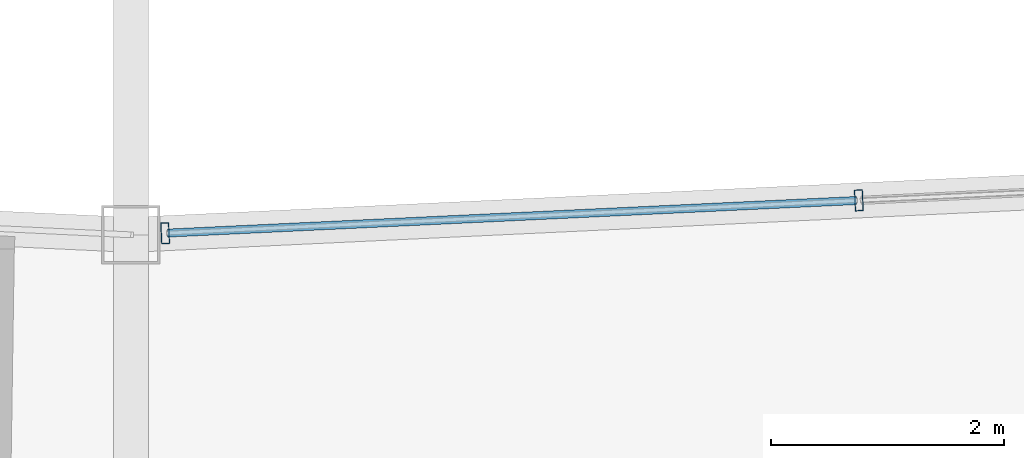
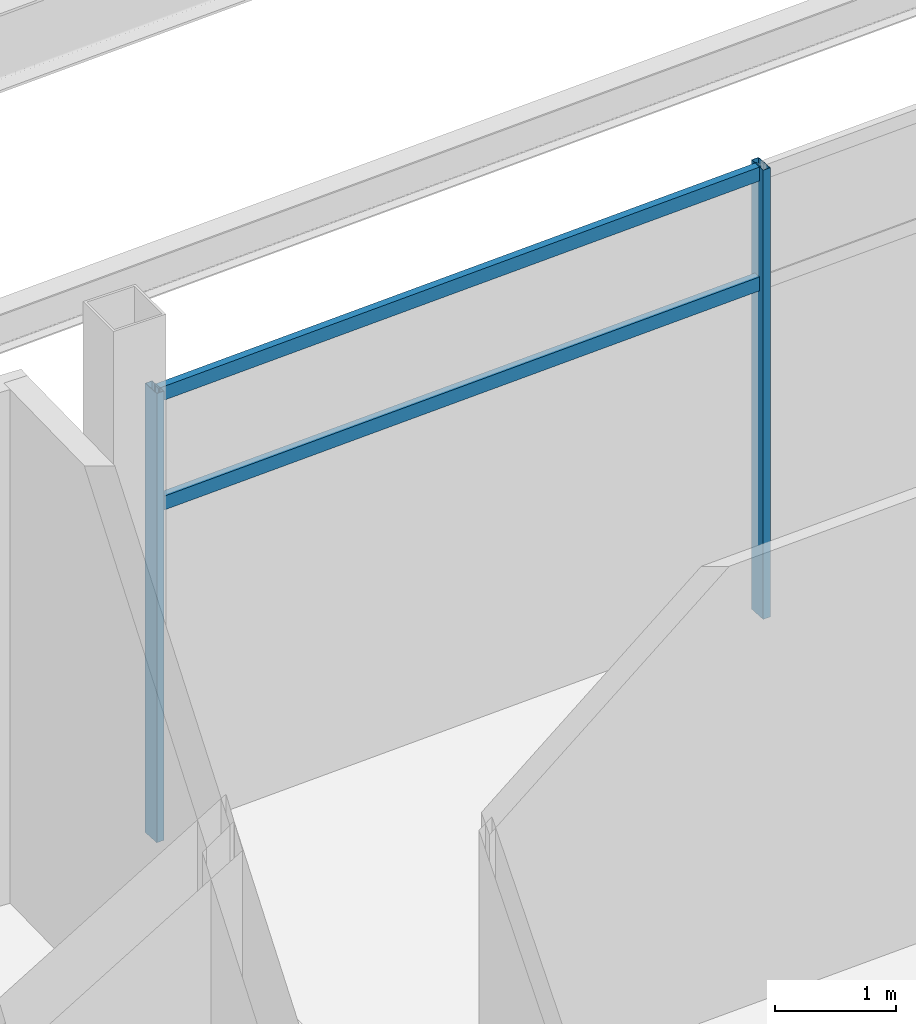
# One storey, part 37 of 186: 4 members, 1 element without a shape of its own.
"""IFC4 building model written with IfcOpenShell, lengths in metres."""

import ifcopenshell
import ifcopenshell.guid

model = None  # the IFC model being written
_history = None  # IfcOwnerHistory: only IFC2X3 demands one
_inside = {}  # id of a spatial element -> (the spatial element, [elements in it])
_under = {}  # id of a project, library or spatial element -> (it, [spatial elements below it])
_declared = {}  # id of a project -> (the project, [libraries it declares])
_typed = {}  # id of a type object -> (the type object, [elements of that type])
_made_of = {}  # id of a material, layer set ... -> (it, [elements and type objects made of it])


def new_model(schema):
    """Start an empty IFC model of exactly this schema.

    Asked for "IFC4X3", IfcOpenShell would pick the latest addendum, in which some entities
    have other attributes; the version numbers below select the first issue.
    IFC2X3 requires an IfcOwnerHistory on every rooted entity: one is made here for all.
    """
    global model, _history
    if schema == "IFC4X3":
        model = ifcopenshell.file(schema_version=(4, 3, 0, 0))
    else:
        model = ifcopenshell.file(schema=schema)
    _inside.clear()
    _under.clear()
    _declared.clear()
    _typed.clear()
    _made_of.clear()
    _history = None
    if model.schema == "IFC2X3":
        org = make("IfcOrganization", Name="unknown")
        user = make(
            "IfcPersonAndOrganization",
            ThePerson=make("IfcPerson", FamilyName="unknown"),
            TheOrganization=org,
        )
        app = make(
            "IfcApplication",
            ApplicationDeveloper=org,
            Version="unknown",
            ApplicationFullName="unknown",
            ApplicationIdentifier="unknown",
        )
        _history = make(
            "IfcOwnerHistory",
            OwningUser=user,
            OwningApplication=app,
            ChangeAction="ADDED",
            CreationDate=0,
        )
    return model


def make(cls, **values):
    """One entity of the class cls with the attributes given. An attribute that is None is left unset."""
    return model.create_entity(
        cls, **{name: value for name, value in values.items() if value is not None}
    )


def rooted(cls, **values):
    """An entity with a GlobalId (a new one), such as an element, a storey or a relation."""
    return make(cls, GlobalId=ifcopenshell.guid.new(), OwnerHistory=_history, **values)


def si_unit(unit_type, name, prefix=None):
    """IfcSIUnit, for example si_unit("LENGTHUNIT", "METRE", prefix="MILLI")."""
    return make("IfcSIUnit", UnitType=unit_type, Prefix=prefix, Name=name)


def assignment(units):
    """IfcUnitAssignment: the units of a project."""
    return None if units is None else make("IfcUnitAssignment", Units=units)


def point(xyz):
    """IfcCartesianPoint."""
    return None if xyz is None else make("IfcCartesianPoint", Coordinates=xyz)


def direction(xyz):
    """IfcDirection."""
    return None if xyz is None else make("IfcDirection", DirectionRatios=xyz)


def frame(location, z_axis=None, x_axis=None):
    """IfcAxis2Placement3D, a coordinate frame: its origin and axes. An axis left out is left unset."""
    return make(
        "IfcAxis2Placement3D",
        Location=point(location),
        Axis=direction(z_axis),
        RefDirection=direction(x_axis),
    )


def frame_2d(location, x_axis=None):
    """IfcAxis2Placement2D, a coordinate frame in the plane: its origin and x axis."""
    return make(
        "IfcAxis2Placement2D", Location=point(location), RefDirection=direction(x_axis)
    )


def origin():
    """The frame at (0, 0, 0) with its axes left unset."""
    return frame((0.0, 0.0, 0.0))


def origin_2d():
    """The frame at (0, 0) in the plane with its x axis left unset."""
    return frame_2d((0.0, 0.0))


def place(relative_to, where):
    """IfcLocalPlacement: puts the frame where relative to a parent placement (None: the world)."""
    return make(
        "IfcLocalPlacement", PlacementRelTo=relative_to, RelativePlacement=where
    )


def context(
    kind, dimensions, precision=None, world=None, true_north=None, identifier=None
):
    """IfcGeometricRepresentationContext, for example the 3D "Model" context."""
    return make(
        "IfcGeometricRepresentationContext",
        ContextIdentifier=identifier,
        ContextType=kind,
        CoordinateSpaceDimension=dimensions,
        Precision=precision,
        WorldCoordinateSystem=world,
        TrueNorth=true_north,
    )


def subcontext(parent, identifier, kind, view, scale=None):
    """IfcGeometricRepresentationSubContext, for example "Body" below "Model"."""
    return make(
        "IfcGeometricRepresentationSubContext",
        ContextIdentifier=identifier,
        ContextType=kind,
        ParentContext=parent,
        TargetScale=scale,
        TargetView=view,
    )


def project(units=None, contexts=None):
    """IfcProject with its units and contexts."""
    return rooted(
        "IfcProject",
        Name="project",
        RepresentationContexts=contexts,
        UnitsInContext=assignment(units),
    )


def spatial(cls, under=None, at=None, **own):
    """A site, building, storey or space (cls), placed at a placement, below another one or the project."""
    s = rooted(cls, ObjectPlacement=at, **own)
    if under is not None:
        _under.setdefault(under.id(), (under, []))[1].append(s)
    return s


def profile(cls, at=None, kind="AREA", **sizes):
    """A parametric profile (cls). Its sizes go by their IFC names, for example OverallWidth=200.0."""
    return make(cls, ProfileType=kind, Position=at, **sizes)


def hollow_rectangle(**sizes):
    """IfcRectangleHollowProfileDef."""
    return profile("IfcRectangleHollowProfileDef", **sizes)


def extrude(swept, where, along, depth):
    """IfcExtrudedAreaSolid: the profile swept, set in the frame where, extruded along a direction by depth."""
    return make(
        "IfcExtrudedAreaSolid",
        SweptArea=swept,
        Position=where,
        ExtrudedDirection=direction(along),
        Depth=depth,
    )


def shape(context_of_items, identifier, shape_type, items):
    """IfcShapeRepresentation: the items that make up one representation, for example the "Body"."""
    return make(
        "IfcShapeRepresentation",
        ContextOfItems=context_of_items,
        RepresentationIdentifier=identifier,
        RepresentationType=shape_type,
        Items=items,
    )


def material(Name=None, Category=None):
    """IfcMaterial."""
    return make("IfcMaterial", Name=Name, Category=Category)


def layer(
    of_material, thickness, ventilated=None, Name=None, Category=None, Priority=None
):
    """IfcMaterialLayer: one layer of a wall or slab, of a material (None: an air gap)."""
    return make(
        "IfcMaterialLayer",
        Material=of_material,
        LayerThickness=thickness,
        IsVentilated=ventilated,
        Name=Name,
        Category=Category,
        Priority=Priority,
    )


def layer_set(layers, Name=None):
    """IfcMaterialLayerSet."""
    return make("IfcMaterialLayerSet", MaterialLayers=layers, LayerSetName=Name)


def material_profile(
    of_material, cross_section, Name=None, Category=None, Priority=None
):
    """IfcMaterialProfile: a cross section and its material."""
    return make(
        "IfcMaterialProfile",
        Name=Name,
        Material=of_material,
        Profile=cross_section,
        Priority=Priority,
        Category=Category,
    )


def profile_set(profiles, Name=None, composite=None):
    """IfcMaterialProfileSet."""
    return make(
        "IfcMaterialProfileSet",
        Name=Name,
        MaterialProfiles=profiles,
        CompositeProfile=composite,
    )


def made_of(thing, what):
    """Note that an element or type object is made of a material, layer set ...; save() writes the relation."""
    if what is not None:
        _made_of.setdefault(what.id(), (what, []))[1].append(thing)
    return thing


def type_object(cls, material=None, **own):
    """A type object (cls), such as IfcWallType, which elements share."""
    return made_of(rooted(cls, **own), material)


def element(
    cls,
    number,
    at=None,
    inside=None,
    cuts=None,
    type_object=None,
    material=None,
    context=None,
    identifier="Body",
    shape_type=None,
    held_by="IfcProductDefinitionShape",
    body=None,
    shapes=None,
    **own,
):
    """One element of the class cls, such as IfcWall. Its Tag is "e" and its number.

    at: its placement. inside: the storey or other place that contains it. cuts: it is an
    opening in that element (IfcRelVoidsElement). A single representation is given by context,
    identifier, shape_type and body (its items); several are given by shapes. held_by: the class
    of the entity that holds the representations. save() writes the other relations.
    """
    e = rooted(cls, Tag="e%d" % number, ObjectPlacement=at, **own)
    if body is not None:
        shapes = [shape(context, identifier, shape_type, body)]
    if shapes is not None:
        e.Representation = make(held_by, Representations=shapes)
    if inside is not None:
        _inside.setdefault(inside.id(), (inside, []))[1].append(e)
    if cuts is not None:
        rooted(
            "IfcRelVoidsElement", RelatingBuildingElement=cuts, RelatedOpeningElement=e
        )
    if type_object is not None:
        _typed.setdefault(type_object.id(), (type_object, []))[1].append(e)
    return made_of(e, material)


def aggregate(whole, parts):
    """IfcRelAggregates: a whole, such as a stair, and the parts it consists of."""
    return rooted("IfcRelAggregates", RelatingObject=whole, RelatedObjects=parts)


def save(model, path):
    """Write the relations noted so far, then the file.

    IfcRelAggregates (storeys below a building ...), IfcRelContainedInSpatialStructure (elements
    in a storey), IfcRelDefinesByType, IfcRelAssociatesMaterial and IfcRelDeclares: one each for
    every whole, place, type object, material and project.
    """
    for whole, parts in _under.values():
        aggregate(whole, parts)
    for where, things in _inside.values():
        rooted(
            "IfcRelContainedInSpatialStructure",
            RelatedElements=things,
            RelatingStructure=where,
        )
    for kind, things in _typed.values():
        rooted("IfcRelDefinesByType", RelatedObjects=things, RelatingType=kind)
    for what, things in _made_of.values():
        rooted("IfcRelAssociatesMaterial", RelatedObjects=things, RelatingMaterial=what)
    for by, libraries in _declared.values():
        rooted("IfcRelDeclares", RelatingContext=by, RelatedDefinitions=libraries)
    model.write(path)


model = new_model("IFC4")

# Units and contexts
model_context = context("Model", 3, precision=1e-05, world=origin(), true_north=direction((0.0, 1.0)))
body_context = subcontext(model_context, "Body", "Model", "MODEL_VIEW")
ifc_project = project(units=[si_unit("LENGTHUNIT", "METRE"), si_unit("AREAUNIT", "SQUARE_METRE"), si_unit("VOLUMEUNIT", "CUBIC_METRE"), si_unit("PLANEANGLEUNIT", "RADIAN"), si_unit("MASSUNIT", "GRAM", prefix="KILO")], contexts=[model_context])

# Site, building, storey
site_placement = place(None, origin())
site = spatial("IfcSite", under=ifc_project, at=site_placement, CompositionType="ELEMENT")
building_placement = place(site_placement, origin())
building = spatial("IfcBuilding", under=site, at=building_placement, Name="Kazemori Nagisa Stadium", CompositionType="ELEMENT")
storey_placement = place(building_placement, frame((0.0, 0.0, 20.39990234375)))
storey = spatial("IfcBuildingStorey", under=building, at=storey_placement, Name="L04", CompositionType="ELEMENT", Elevation=20.39990234375)

# Curtain wall, members
ifc_material_1 = material(Name="Anodised aluminium 6063-T5", Category="aluminium")
ifc_layer = layer(ifc_material_1, 0.179931640625, Name="Anodised aluminium 6063-T5", Category="aluminium")
ifc_layer_set = layer_set([ifc_layer], Name="Anodised aluminium 6063-T5")
curtain_wall_type = type_object("IfcCurtainWallType", Name="CW_L04B_90", PredefinedType="USERDEFINED", material=ifc_layer_set)
curtain_wall_placement = place(storey_placement, origin())
curtain_wall = element("IfcCurtainWall", 1, at=curtain_wall_placement, inside=storey, type_object=curtain_wall_type, Name="Unitised curtain wall CW-L04B-90 L04", ObjectType="UNITISED CURTAIN WALL", PredefinedType="USERDEFINED")
ifc_material_2 = material(Name="Aluminium 6063-T5 anodised", Category="aluminium")
ifc_material_profile_1 = material_profile(ifc_material_2, hollow_rectangle(XDim=0.070068359375, YDim=0.179931640625, WallThickness=0.00390625, at=origin_2d()), Name="ALU-MULL-70x180x4")
ifc_profile_set_1 = profile_set([ifc_material_profile_1], Name="Aluminium 6063-T5 anodised")
member_type_1 = type_object("IfcMemberType", Name="Mullion_M01", PredefinedType="MULLION", material=ifc_profile_set_1)
member_1_placement = place(storey_placement, frame((123.294677734375, 28.053955078125, 0.0), z_axis=(0.0, 0.0, 1.0), x_axis=(0.998884022476, 0.047230388971, 0.0)))
member_1 = element("IfcMember", 2, at=member_1_placement, type_object=member_type_1, Name="Curtain wall mullion CW-L04B-90-M1", PredefinedType="MULLION", context=body_context, shape_type="SweptSolid", body=[
    extrude(hollow_rectangle(XDim=0.070068359375, YDim=0.179931640625, WallThickness=0.00390625, at=origin_2d()), origin(), (0.0, 0.0, 1.0), 4.530029296875),
])
member_2_placement = place(storey_placement, frame((129.24072265625, 28.335205078125, 0.0), z_axis=(0.0, 0.0, 1.0), x_axis=(0.998884022476, 0.047230388971, 0.0)))
member_2 = element("IfcMember", 3, at=member_2_placement, type_object=member_type_1, Name="Curtain wall mullion CW-L04B-90-M2", PredefinedType="MULLION", context=body_context, shape_type="SweptSolid", body=[
    extrude(hollow_rectangle(XDim=0.070068359375, YDim=0.179931640625, WallThickness=0.00390625, at=origin_2d()), origin(), (0.0, 0.0, 1.0), 4.530029296875),
])
ifc_material_profile_2 = material_profile(ifc_material_2, hollow_rectangle(XDim=0.070068359375, YDim=0.139892578125, WallThickness=0.00390625, at=origin_2d()), Name="ALU-TRAN-70x140x4")
ifc_profile_set_2 = profile_set([ifc_material_profile_2], Name="Aluminium 6063-T5 anodised")
member_type_2 = type_object("IfcMemberType", Name="Transom_T01", PredefinedType="USERDEFINED", material=ifc_profile_set_2)
member_3_placement = place(storey_placement, frame((123.314697265625, 28.054931640625, 3.352294921875), z_axis=(0.99888377723, 0.047235575444, 0.0), x_axis=(-0.047235575444, 0.99888377723, 0.0)))
member_3 = element("IfcMember", 4, at=member_3_placement, type_object=member_type_2, Name="Curtain wall transom CW-L04B-90-T1-mid", ObjectType="TRANSOM", PredefinedType="USERDEFINED", context=body_context, shape_type="SweptSolid", body=[
    extrude(hollow_rectangle(XDim=0.070068359375, YDim=0.139892578125, WallThickness=0.00390625, at=origin_2d()), origin(), (0.0, 0.0, 1.0), 5.912841796875),
])
member_4_placement = place(storey_placement, frame((123.314697265625, 28.054931640625, 4.460205078125), z_axis=(0.99888377723, 0.047235575444, 0.0), x_axis=(-0.047235575444, 0.99888377723, 0.0)))
member_4 = element("IfcMember", 5, at=member_4_placement, type_object=member_type_2, Name="Curtain wall transom CW-L04B-90-T1-head", ObjectType="TRANSOM", PredefinedType="USERDEFINED", context=body_context, shape_type="SweptSolid", body=[
    extrude(hollow_rectangle(XDim=0.070068359375, YDim=0.139892578125, WallThickness=0.00390625, at=origin_2d()), origin(), (0.0, 0.0, 1.0), 5.912841796875),
])
aggregate(curtain_wall, [member_1, member_2, member_3, member_4])

save(model, "model.ifc")
